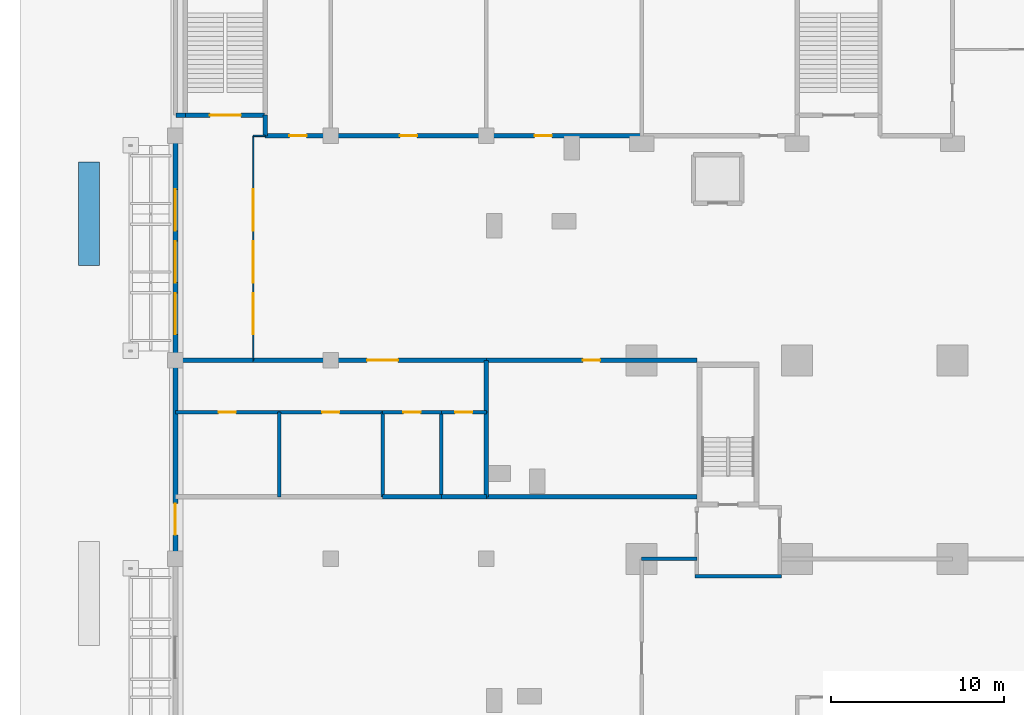
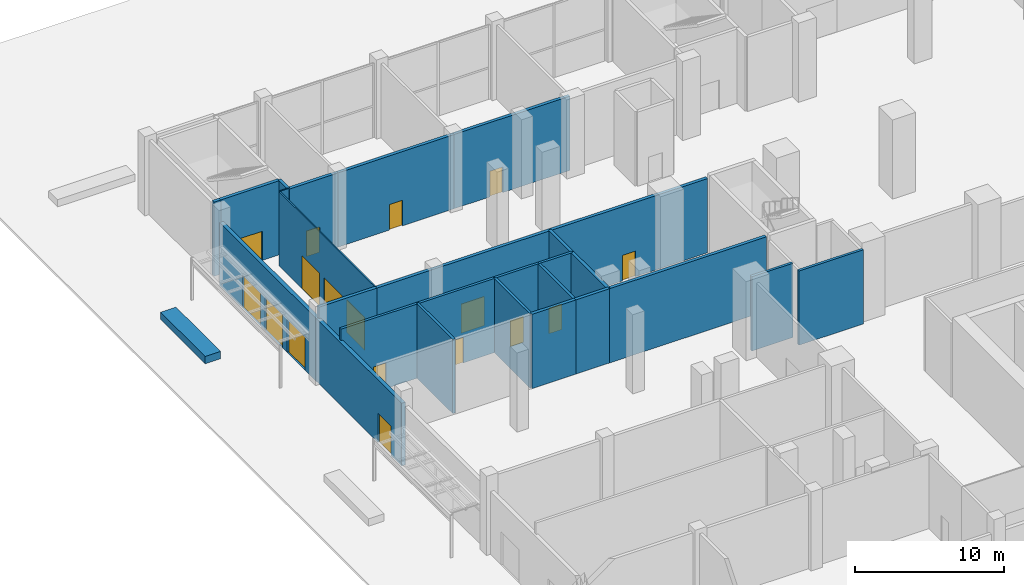
# One storey, part 31 of 39: 28 walls, 17 doors, 17 openings.
"""IFC4 building model written with IfcOpenShell, lengths in metres."""

from ifc_helpers import new_model, si_unit, direction, frame, frame_2d, origin, place, context, subcontext, project, spatial, rectangle, extrude, material, layer, layer_set, type_object, element, fill, save


model = new_model("IFC4")

# Units and contexts
model_context = context("Model", 3, precision=1e-05, world=origin(), true_north=direction((0.0, 1.0)))
body_context = subcontext(model_context, "Body", "Model", "MODEL_VIEW")
ifc_project = project(units=[si_unit("LENGTHUNIT", "METRE"), si_unit("AREAUNIT", "SQUARE_METRE"), si_unit("VOLUMEUNIT", "CUBIC_METRE"), si_unit("PLANEANGLEUNIT", "RADIAN"), si_unit("MASSUNIT", "GRAM", prefix="KILO")], contexts=[model_context])

# Site, building, storey
site_placement = place(None, origin())
site = spatial("IfcSite", under=ifc_project, at=site_placement, CompositionType="ELEMENT")
building_placement = place(site_placement, origin())
building = spatial("IfcBuilding", under=site, at=building_placement, Name="Brigalow Station Residences", CompositionType="ELEMENT")
storey_placement = place(building_placement, origin())
storey = spatial("IfcBuildingStorey", under=building, at=storey_placement, Name="L00", CompositionType="ELEMENT", Elevation=0.0)

# Wall, openings, doors
ifc_material_1 = material(Name="Glass and aluminium shopfront on a masonry base", Category="masonry")
ifc_layer_1 = layer(ifc_material_1, 0.300048828125)
ifc_layer_set_1 = layer_set([ifc_layer_1], Name="ENTRANCE INFILL 300")
wall_type_1 = type_object("IfcWallType", Name="ENTRANCE INFILL 300", PredefinedType="SOLIDWALL", material=ifc_layer_set_1)
wall_1_placement = place(storey_placement, frame((-18.0, 35.5, 0.0), z_axis=(0.0, 0.0, 1.0), x_axis=(0.0, 1.0, 0.0)))
wall_1 = element("IfcWall", 1, at=wall_1_placement, inside=storey, type_object=wall_type_1, Name="Entrance Infill 300 West Entrance Vestibule / OUT", PredefinedType="SOLIDWALL", context=body_context, shape_type="SweptSolid", body=[
    extrude(rectangle(XDim=13.0, YDim=0.300048828125, at=frame_2d((6.5, 0.0))), origin(), (0.0, 0.0, 1.0), 5.14794921875),
])
opening_1_placement = place(wall_1_placement, frame((1.5, 0.0, 0.0)))
opening_1 = element("IfcOpeningElement", 2, at=opening_1_placement, cuts=wall_1, Name="Opening D-7114", PredefinedType="OPENING", context=body_context, shape_type="SweptSolid", body=[
    extrude(rectangle(XDim=2.39990234375, YDim=2.699951171875, at=frame_2d((1.199951171875, 1.35009765625))), frame((0.0, 0.16015625, 0.0), z_axis=(0.0, -1.0, 0.0), x_axis=(1.0, 0.0, 0.0)), (0.0, 0.0, 1.0), 0.320068359375),
])
opening_2_placement = place(wall_1_placement, frame((4.5, 0.0, 0.0)))
opening_2 = element("IfcOpeningElement", 3, at=opening_2_placement, cuts=wall_1, Name="Opening D-7115", PredefinedType="OPENING", context=body_context, shape_type="SweptSolid", body=[
    extrude(rectangle(XDim=2.39990234375, YDim=2.699951171875, at=frame_2d((1.199951171875, 1.35009765625))), frame((0.0, 0.16015625, 0.0), z_axis=(0.0, -1.0, 0.0), x_axis=(1.0, 0.0, 0.0)), (0.0, 0.0, 1.0), 0.320068359375),
])
opening_3_placement = place(wall_1_placement, frame((7.5, 0.0, 0.0)))
opening_3 = element("IfcOpeningElement", 4, at=opening_3_placement, cuts=wall_1, Name="Opening D-7116", PredefinedType="OPENING", context=body_context, shape_type="SweptSolid", body=[
    extrude(rectangle(XDim=2.39990234375, YDim=2.699951171875, at=frame_2d((1.199951171875, 1.35009765625))), frame((0.0, 0.16015625, 0.0), z_axis=(0.0, -1.0, 0.0), x_axis=(1.0, 0.0, 0.0)), (0.0, 0.0, 1.0), 0.320068359375),
])
ifc_material_2 = material(Name="Fire-rated glass leaves in steel frame", Category="steel")
door_type_1 = type_object("IfcDoorType", Name="DOOR DOUBLE 2400 GLAZED FIRE", OperationType="DOUBLE_DOOR_SINGLE_SWING", PredefinedType="DOOR", material=ifc_material_2)
door_1_placement = place(opening_1_placement, origin())
door_1 = element("IfcDoor", 5, at=door_1_placement, inside=storey, type_object=door_type_1, Name="West entrance outer door 1", OperationType="DOUBLE_DOOR_SINGLE_SWING", OverallHeight=2.699951171875, OverallWidth=2.39990234375, PredefinedType="DOOR", context=body_context, shape_type="SweptSolid", body=[
    extrude(rectangle(XDim=2.39990234375, YDim=2.699951171875, at=frame_2d((1.199951171875, 1.35009765625))), frame((0.0, 0.02490234375, 0.0), z_axis=(0.0, -1.0, 0.0), x_axis=(1.0, 0.0, 0.0)), (0.0, 0.0, 1.0), 0.050048828125),
])
fill(opening_1, door_1)
door_2_placement = place(opening_2_placement, origin())
door_2 = element("IfcDoor", 6, at=door_2_placement, inside=storey, type_object=door_type_1, Name="West entrance outer door 2", OperationType="DOUBLE_DOOR_SINGLE_SWING", OverallHeight=2.699951171875, OverallWidth=2.39990234375, PredefinedType="DOOR", context=body_context, shape_type="SweptSolid", body=[
    extrude(rectangle(XDim=2.39990234375, YDim=2.699951171875, at=frame_2d((1.199951171875, 1.35009765625))), frame((0.0, 0.02490234375, 0.0), z_axis=(0.0, -1.0, 0.0), x_axis=(1.0, 0.0, 0.0)), (0.0, 0.0, 1.0), 0.050048828125),
])
fill(opening_2, door_2)
door_3_placement = place(opening_3_placement, origin())
door_3 = element("IfcDoor", 7, at=door_3_placement, inside=storey, type_object=door_type_1, Name="West entrance outer door 3", OperationType="DOUBLE_DOOR_SINGLE_SWING", OverallHeight=2.699951171875, OverallWidth=2.39990234375, PredefinedType="DOOR", context=body_context, shape_type="SweptSolid", body=[
    extrude(rectangle(XDim=2.39990234375, YDim=2.699951171875, at=frame_2d((1.199951171875, 1.35009765625))), frame((0.0, 0.02490234375, 0.0), z_axis=(0.0, -1.0, 0.0), x_axis=(1.0, 0.0, 0.0)), (0.0, 0.0, 1.0), 0.050048828125),
])
fill(opening_3, door_3)

# Wall, opening, door
wall_2_placement = place(storey_placement, frame((-18.0, 24.0, 0.0), z_axis=(0.0, 0.0, 1.0), x_axis=(0.0, 1.0, 0.0)))
wall_2 = element("IfcWall", 8, at=wall_2_placement, inside=storey, type_object=wall_type_1, Name="Entrance Infill 300 Stair S1 Exit Passage / OUT", PredefinedType="SOLIDWALL", context=body_context, shape_type="SweptSolid", body=[
    extrude(rectangle(XDim=11.5, YDim=0.300048828125, at=frame_2d((5.75, 0.0))), origin(), (0.0, 0.0, 1.0), 5.14794921875),
])
opening_4_placement = place(wall_2_placement, frame((1.39990234375, 0.0, 0.0)))
opening_4 = element("IfcOpeningElement", 9, at=opening_4_placement, cuts=wall_2, Name="Opening D-7111", PredefinedType="OPENING", context=body_context, shape_type="SweptSolid", body=[
    extrude(rectangle(XDim=1.800048828125, YDim=2.39990234375, at=frame_2d((0.89990234375, 1.199951171875))), frame((0.0, 0.16015625, 0.0), z_axis=(0.0, -1.0, 0.0), x_axis=(1.0, 0.0, 0.0)), (0.0, 0.0, 1.0), 0.320068359375),
])
ifc_material_3 = material(Name="Steel fire door leaves in steel frame", Category="steel")
door_type_2 = type_object("IfcDoorType", Name="DOOR DOUBLE 1800 FIRE", OperationType="DOUBLE_DOOR_SINGLE_SWING", PredefinedType="DOOR", material=ifc_material_3)
door_4_placement = place(opening_4_placement, origin())
door_4 = element("IfcDoor", 10, at=door_4_placement, inside=storey, type_object=door_type_2, Name="Stair S1 street door", OperationType="DOUBLE_DOOR_SINGLE_SWING", OverallHeight=2.39990234375, OverallWidth=1.800048828125, PredefinedType="DOOR", context=body_context, shape_type="SweptSolid", body=[
    extrude(rectangle(XDim=1.800048828125, YDim=2.39990234375, at=frame_2d((0.89990234375, 1.199951171875))), frame((0.0, 0.02490234375, 0.0), z_axis=(0.0, -1.0, 0.0), x_axis=(1.0, 0.0, 0.0)), (0.0, 0.0, 1.0), 0.050048828125),
])
fill(opening_4, door_4)

# Walls
ifc_material_4 = material(Name="Fire-rated plasterboard on steel studs", Category="steel")
ifc_layer_2 = layer(ifc_material_4, 0.25)
ifc_layer_set_2 = layer_set([ifc_layer_2], Name="FIRE PARTITION 250")
wall_type_2 = type_object("IfcWallType", Name="FIRE PARTITION 250", PredefinedType="PARTITIONING", material=ifc_layer_set_2)
wall_3_placement = place(storey_placement, frame((0.0, 27.60009765625, 0.0), z_axis=(0.0, 0.0, 1.0), x_axis=(1.0, 0.0, 0.0)))
element("IfcWall", 11, at=wall_3_placement, inside=storey, type_object=wall_type_2, Name="Fire Partition 250 Stair S1 Exit Passage / Customer Service Office", PredefinedType="PARTITIONING", context=body_context, shape_type="SweptSolid", body=[
    extrude(rectangle(XDim=12.199951171875, YDim=0.25, at=frame_2d((6.10009765625, 0.0))), origin(), (0.0, 0.0, 1.0), 6.097900390625),
])
wall_4_placement = place(storey_placement, frame((-6.0, 27.60009765625, 0.0), z_axis=(0.0, 0.0, 1.0), x_axis=(1.0, 0.0, 0.0)))
element("IfcWall", 12, at=wall_4_placement, inside=storey, type_object=wall_type_2, Name="Fire Partition 250 Stair S1 Exit Passage / Accessible Wc", PredefinedType="PARTITIONING", context=body_context, shape_type="SweptSolid", body=[
    extrude(rectangle(XDim=3.39990234375, YDim=0.25, at=frame_2d((1.699951171875, 0.0))), origin(), (0.0, 0.0, 1.0), 6.097900390625),
])
wall_5_placement = place(storey_placement, frame((-2.60009765625, 27.60009765625, 0.0), z_axis=(0.0, 0.0, 1.0), x_axis=(1.0, 0.0, 0.0)))
element("IfcWall", 13, at=wall_5_placement, inside=storey, type_object=wall_type_2, Name="Fire Partition 250 Stair S1 Exit Passage / Staff Wc", PredefinedType="PARTITIONING", context=body_context, shape_type="SweptSolid", body=[
    extrude(rectangle(XDim=2.60009765625, YDim=0.25, at=frame_2d((1.300048828125, 0.0))), origin(), (0.0, 0.0, 1.0), 6.097900390625),
])

# Wall, opening, door
wall_6_placement = place(storey_placement, frame((0.0, 35.5, 0.0), z_axis=(0.0, 0.0, 1.0), x_axis=(1.0, 0.0, 0.0)))
wall_6 = element("IfcWall", 14, at=wall_6_placement, inside=storey, type_object=wall_type_2, Name="Fire Partition 250 Customer Service Office / Concourse", PredefinedType="PARTITIONING", context=body_context, shape_type="SweptSolid", body=[
    extrude(rectangle(XDim=12.199951171875, YDim=0.25, at=frame_2d((6.10009765625, 0.0))), origin(), (0.0, 0.0, 1.0), 6.097900390625),
])
opening_5_placement = place(wall_6_placement, frame((5.60009765625, 0.0, 0.0)))
opening_5 = element("IfcOpeningElement", 15, at=opening_5_placement, cuts=wall_6, Name="Opening D-7139", PredefinedType="OPENING", context=body_context, shape_type="SweptSolid", body=[
    extrude(rectangle(XDim=1.0, YDim=2.10009765625, at=frame_2d((0.5, 1.050048828125))), frame((0.0, 0.135009765625, 0.0), z_axis=(0.0, -1.0, 0.0), x_axis=(1.0, 0.0, 0.0)), (0.0, 0.0, 1.0), 0.27001953125),
])
ifc_material_5 = material(Name="Steel fire door leaf in steel frame", Category="steel")
door_type_3 = type_object("IfcDoorType", Name="DOOR SINGLE 1000 FIRE", OperationType="SINGLE_SWING_LEFT", PredefinedType="DOOR", material=ifc_material_5)
door_5_placement = place(opening_5_placement, frame((1.0, 0.0, 0.0), z_axis=(0.0, 0.0, 1.0), x_axis=(-1.0, 0.0, 0.0)))
door_5 = element("IfcDoor", 16, at=door_5_placement, inside=storey, type_object=door_type_3, Name="Customer service office door", OperationType="SINGLE_SWING_LEFT", OverallHeight=2.10009765625, OverallWidth=1.0, PredefinedType="DOOR", context=body_context, shape_type="SweptSolid", body=[
    extrude(rectangle(XDim=1.0, YDim=2.10009765625, at=frame_2d((0.5, 1.050048828125))), frame((0.0, 0.02490234375, 0.0), z_axis=(0.0, -1.0, 0.0), x_axis=(1.0, 0.0, 0.0)), (0.0, 0.0, 1.0), 0.050048828125),
])
fill(opening_5, door_5)

# Walls
wall_7_placement = place(storey_placement, frame((0.0, 32.5, 0.0), z_axis=(0.0, 0.0, 1.0), x_axis=(0.0, 1.0, 0.0)))
element("IfcWall", 17, at=wall_7_placement, inside=storey, type_object=wall_type_2, Name="Fire Partition 250 Customer Service Office / Public Wc Lobby", PredefinedType="PARTITIONING", context=body_context, shape_type="SweptSolid", body=[
    extrude(rectangle(XDim=3.0, YDim=0.25, at=frame_2d((1.5, 0.0))), origin(), (0.0, 0.0, 1.0), 6.097900390625),
])
wall_8_placement = place(storey_placement, frame((0.0, 27.60009765625, 0.0), z_axis=(0.0, 0.0, 1.0), x_axis=(0.0, 1.0, 0.0)))
element("IfcWall", 18, at=wall_8_placement, inside=storey, type_object=wall_type_2, Name="Fire Partition 250 Customer Service Office / Staff Wc", PredefinedType="PARTITIONING", context=body_context, shape_type="SweptSolid", body=[
    extrude(rectangle(XDim=4.89990234375, YDim=0.25, at=frame_2d((2.449951171875, 0.0))), origin(), (0.0, 0.0, 1.0), 6.097900390625),
])

# Wall, opening, door
wall_9_placement = place(storey_placement, frame((-13.5, 35.5, 0.0), z_axis=(0.0, 0.0, 1.0), x_axis=(1.0, 0.0, 0.0)))
wall_9 = element("IfcWall", 19, at=wall_9_placement, inside=storey, type_object=wall_type_2, Name="Fire Partition 250 Concourse / Public Wc Lobby", PredefinedType="PARTITIONING", context=body_context, shape_type="SweptSolid", body=[
    extrude(rectangle(XDim=13.5, YDim=0.25, at=frame_2d((6.75, 0.0))), origin(), (0.0, 0.0, 1.0), 6.097900390625),
])
opening_6_placement = place(wall_9_placement, frame((6.60009765625, 0.0, 0.0)))
opening_6 = element("IfcOpeningElement", 20, at=opening_6_placement, cuts=wall_9, Name="Opening D-7157", PredefinedType="OPENING", context=body_context, shape_type="SweptSolid", body=[
    extrude(rectangle(XDim=1.800048828125, YDim=2.39990234375, at=frame_2d((0.89990234375, 1.199951171875))), frame((0.0, 0.135009765625, 0.0), z_axis=(0.0, -1.0, 0.0), x_axis=(1.0, 0.0, 0.0)), (0.0, 0.0, 1.0), 0.27001953125),
])
door_6_placement = place(opening_6_placement, frame((1.800048828125, 0.0, 0.0), z_axis=(0.0, 0.0, 1.0), x_axis=(-1.0, 0.0, 0.0)))
door_6 = element("IfcDoor", 21, at=door_6_placement, inside=storey, type_object=door_type_2, Name="Public WC lobby door", OperationType="DOUBLE_DOOR_SINGLE_SWING", OverallHeight=2.39990234375, OverallWidth=1.800048828125, PredefinedType="DOOR", context=body_context, shape_type="SweptSolid", body=[
    extrude(rectangle(XDim=1.800048828125, YDim=2.39990234375, at=frame_2d((0.89990234375, 1.199951171875))), frame((0.0, 0.02490234375, 0.0), z_axis=(0.0, -1.0, 0.0), x_axis=(1.0, 0.0, 0.0)), (0.0, 0.0, 1.0), 0.050048828125),
])
fill(opening_6, door_6)

wall_10_placement = place(storey_placement, frame((-12.800048828125, 48.5, 0.0), z_axis=(0.0, 0.0, 1.0), x_axis=(1.0, 0.0, 0.0)))
wall_10 = element("IfcWall", 22, at=wall_10_placement, inside=storey, type_object=wall_type_2, Name="Fire Partition 250 Concourse / Newsagent Kiosk", PredefinedType="PARTITIONING", context=body_context, shape_type="SweptSolid", body=[
    extrude(rectangle(XDim=3.800048828125, YDim=0.25, at=frame_2d((1.89990234375, 0.0))), origin(), (0.0, 0.0, 1.0), 6.097900390625),
])
opening_7_placement = place(wall_10_placement, frame((1.39990234375, 0.0, 0.0)))
opening_7 = element("IfcOpeningElement", 23, at=opening_7_placement, cuts=wall_10, Name="Opening D-7141", PredefinedType="OPENING", context=body_context, shape_type="SweptSolid", body=[
    extrude(rectangle(XDim=1.0, YDim=2.10009765625, at=frame_2d((0.5, 1.050048828125))), frame((0.0, 0.135009765625, 0.0), z_axis=(0.0, -1.0, 0.0), x_axis=(1.0, 0.0, 0.0)), (0.0, 0.0, 1.0), 0.27001953125),
])
door_7_placement = place(opening_7_placement, origin())
door_7 = element("IfcDoor", 24, at=door_7_placement, inside=storey, type_object=door_type_3, Name="Newsagent Kiosk door", OperationType="SINGLE_SWING_LEFT", OverallHeight=2.10009765625, OverallWidth=1.0, PredefinedType="DOOR", context=body_context, shape_type="SweptSolid", body=[
    extrude(rectangle(XDim=1.0, YDim=2.10009765625, at=frame_2d((0.5, 1.050048828125))), frame((0.0, 0.02490234375, 0.0), z_axis=(0.0, -1.0, 0.0), x_axis=(1.0, 0.0, 0.0)), (0.0, 0.0, 1.0), 0.050048828125),
])
fill(opening_7, door_7)

wall_11_placement = place(storey_placement, frame((-9.0, 48.5, 0.0), z_axis=(0.0, 0.0, 1.0), x_axis=(1.0, 0.0, 0.0)))
wall_11 = element("IfcWall", 25, at=wall_11_placement, inside=storey, type_object=wall_type_2, Name="Fire Partition 250 Concourse / Florist Shop", PredefinedType="PARTITIONING", context=body_context, shape_type="SweptSolid", body=[
    extrude(rectangle(XDim=9.0, YDim=0.25, at=frame_2d((4.5, 0.0))), origin(), (0.0, 0.0, 1.0), 6.097900390625),
])
opening_8_placement = place(wall_11_placement, frame((4.0, 0.0, 0.0)))
opening_8 = element("IfcOpeningElement", 26, at=opening_8_placement, cuts=wall_11, Name="Opening D-7142", PredefinedType="OPENING", context=body_context, shape_type="SweptSolid", body=[
    extrude(rectangle(XDim=1.0, YDim=2.10009765625, at=frame_2d((0.5, 1.050048828125))), frame((0.0, 0.135009765625, 0.0), z_axis=(0.0, -1.0, 0.0), x_axis=(1.0, 0.0, 0.0)), (0.0, 0.0, 1.0), 0.27001953125),
])
door_8_placement = place(opening_8_placement, origin())
door_8 = element("IfcDoor", 27, at=door_8_placement, inside=storey, type_object=door_type_3, Name="Florist Shop door", OperationType="SINGLE_SWING_LEFT", OverallHeight=2.10009765625, OverallWidth=1.0, PredefinedType="DOOR", context=body_context, shape_type="SweptSolid", body=[
    extrude(rectangle(XDim=1.0, YDim=2.10009765625, at=frame_2d((0.5, 1.050048828125))), frame((0.0, 0.02490234375, 0.0), z_axis=(0.0, -1.0, 0.0), x_axis=(1.0, 0.0, 0.0)), (0.0, 0.0, 1.0), 0.050048828125),
])
fill(opening_8, door_8)

wall_12_placement = place(storey_placement, frame((0.0, 48.5, 0.0), z_axis=(0.0, 0.0, 1.0), x_axis=(1.0, 0.0, 0.0)))
wall_12 = element("IfcWall", 28, at=wall_12_placement, inside=storey, type_object=wall_type_2, Name="Fire Partition 250 Concourse / Bakery Kiosk", PredefinedType="PARTITIONING", context=body_context, shape_type="SweptSolid", body=[
    extrude(rectangle(XDim=9.0, YDim=0.25, at=frame_2d((4.5, 0.0))), origin(), (0.0, 0.0, 1.0), 6.097900390625),
])
opening_9_placement = place(wall_12_placement, frame((2.800048828125, 0.0, 0.0)))
opening_9 = element("IfcOpeningElement", 29, at=opening_9_placement, cuts=wall_12, Name="Opening D-7143", PredefinedType="OPENING", context=body_context, shape_type="SweptSolid", body=[
    extrude(rectangle(XDim=1.0, YDim=2.10009765625, at=frame_2d((0.5, 1.050048828125))), frame((0.0, 0.135009765625, 0.0), z_axis=(0.0, -1.0, 0.0), x_axis=(1.0, 0.0, 0.0)), (0.0, 0.0, 1.0), 0.27001953125),
])
door_9_placement = place(opening_9_placement, origin())
door_9 = element("IfcDoor", 30, at=door_9_placement, inside=storey, type_object=door_type_3, Name="Bakery Kiosk door", OperationType="SINGLE_SWING_LEFT", OverallHeight=2.10009765625, OverallWidth=1.0, PredefinedType="DOOR", context=body_context, shape_type="SweptSolid", body=[
    extrude(rectangle(XDim=1.0, YDim=2.10009765625, at=frame_2d((0.5, 1.050048828125))), frame((0.0, 0.02490234375, 0.0), z_axis=(0.0, -1.0, 0.0), x_axis=(1.0, 0.0, 0.0)), (0.0, 0.0, 1.0), 0.050048828125),
])
fill(opening_9, door_9)

# Walls
wall_13_placement = place(storey_placement, frame((-18.0, 35.5, 0.0), z_axis=(0.0, 0.0, 1.0), x_axis=(1.0, 0.0, 0.0)))
element("IfcWall", 31, at=wall_13_placement, inside=storey, type_object=wall_type_2, Name="Fire Partition 250 West Entrance Vestibule / Public Wc Lobby", PredefinedType="PARTITIONING", context=body_context, shape_type="SweptSolid", body=[
    extrude(rectangle(XDim=4.5, YDim=0.25, at=frame_2d((2.25, 0.0))), origin(), (0.0, 0.0, 1.0), 6.097900390625),
])
wall_14_placement = place(storey_placement, frame((-12.800048828125, 48.5, 0.0), z_axis=(0.0, 0.0, 1.0), x_axis=(0.0, 1.0, 0.0)))
element("IfcWall", 32, at=wall_14_placement, inside=storey, type_object=wall_type_2, Name="Fire Partition 250 West Entrance Vestibule / Newsagent Kiosk", PredefinedType="PARTITIONING", context=body_context, shape_type="SweptSolid", body=[
    extrude(rectangle(XDim=1.199951171875, YDim=0.25, at=frame_2d((0.60009765625, 0.0))), origin(), (0.0, 0.0, 1.0), 6.097900390625),
])
wall_15_placement = place(storey_placement, frame((-17.955078125, 49.699951171875, 0.0), z_axis=(0.0, 0.0, 1.0), x_axis=(1.0, 0.0, 0.0)))
element("IfcWall", 33, at=wall_15_placement, inside=storey, type_object=wall_type_2, Name="Fire Partition 250 West Entrance Vestibule / Exit Stair St-4 Services Riser", PredefinedType="PARTITIONING", context=body_context, shape_type="SweptSolid", body=[
    extrude(rectangle(XDim=0.530029296875, YDim=0.25, at=frame_2d((0.26513671875, 0.0))), origin(), (0.0, 0.0, 1.0), 6.097900390625),
])
ifc_material_6 = material(Name="Concrete blockwork", Category="masonry")
ifc_layer_3 = layer(ifc_material_6, 0.199951171875)
ifc_layer_set_3 = layer_set([ifc_layer_3], Name="FIRE RATED CORE PARTITION 200")
wall_type_3 = type_object("IfcWallType", Name="FIRE RATED CORE PARTITION 200", PredefinedType="PARTITIONING", material=ifc_layer_set_3)
wall_16_placement = place(storey_placement, frame((12.10009765625, 23.0, 0.0), z_axis=(0.0, 0.0, 1.0), x_axis=(1.0, 0.0, 0.0)))
element("IfcWall", 34, at=wall_16_placement, inside=storey, type_object=wall_type_3, Name="PW-5023", PredefinedType="PARTITIONING", context=body_context, shape_type="SweptSolid", body=[
    extrude(rectangle(XDim=5.0, YDim=0.199951171875, at=frame_2d((2.5, 0.0))), origin(), (0.0, 0.0, 1.0), 6.097900390625),
])
ifc_material_7 = material(Name="Toughened glass in stainless steel frame", Category="steel")
ifc_layer_4 = layer(ifc_material_7, 0.10009765625)
ifc_layer_set_4 = layer_set([ifc_layer_4], Name="GLAZED SCREEN 100")
wall_type_4 = type_object("IfcWallType", Name="GLAZED SCREEN 100", PredefinedType="PARTITIONING", material=ifc_layer_set_4)
wall_17_placement = place(storey_placement, frame((-13.5, 48.5, 0.0), z_axis=(0.0, 0.0, 1.0), x_axis=(1.0, 0.0, 0.0)))
element("IfcWall", 35, at=wall_17_placement, inside=storey, type_object=wall_type_4, Name="Glazed Screen 100 Concourse / West Entrance Vestibule", PredefinedType="PARTITIONING", context=body_context, shape_type="SweptSolid", body=[
    extrude(rectangle(XDim=0.699951171875, YDim=0.10009765625, at=frame_2d((0.35009765625, 0.0))), origin(), (0.0, 0.0, 1.0), 6.097900390625),
])

# Wall, openings, doors
wall_18_placement = place(storey_placement, frame((-13.5, 35.5, 0.0), z_axis=(0.0, 0.0, 1.0), x_axis=(0.0, 1.0, 0.0)))
wall_18 = element("IfcWall", 36, at=wall_18_placement, inside=storey, type_object=wall_type_4, Name="Glazed Screen 100 Concourse / West Entrance Vestibule", PredefinedType="PARTITIONING", context=body_context, shape_type="SweptSolid", body=[
    extrude(rectangle(XDim=13.0, YDim=0.10009765625, at=frame_2d((6.5, 0.0))), origin(), (0.0, 0.0, 1.0), 6.097900390625),
])
opening_10_placement = place(wall_18_placement, frame((1.5, 0.0, 0.0)))
opening_10 = element("IfcOpeningElement", 37, at=opening_10_placement, cuts=wall_18, Name="Opening D-7149", PredefinedType="OPENING", context=body_context, shape_type="SweptSolid", body=[
    extrude(rectangle(XDim=2.39990234375, YDim=2.699951171875, at=frame_2d((1.199951171875, 1.35009765625))), frame((0.0, 0.06005859375, 0.0), z_axis=(0.0, -1.0, 0.0), x_axis=(1.0, 0.0, 0.0)), (0.0, 0.0, 1.0), 0.1201171875),
])
opening_11_placement = place(wall_18_placement, frame((4.5, 0.0, 0.0)))
opening_11 = element("IfcOpeningElement", 38, at=opening_11_placement, cuts=wall_18, Name="Opening D-7150", PredefinedType="OPENING", context=body_context, shape_type="SweptSolid", body=[
    extrude(rectangle(XDim=2.39990234375, YDim=2.699951171875, at=frame_2d((1.199951171875, 1.35009765625))), frame((0.0, 0.06005859375, 0.0), z_axis=(0.0, -1.0, 0.0), x_axis=(1.0, 0.0, 0.0)), (0.0, 0.0, 1.0), 0.1201171875),
])
opening_12_placement = place(wall_18_placement, frame((7.5, 0.0, 0.0)))
opening_12 = element("IfcOpeningElement", 39, at=opening_12_placement, cuts=wall_18, Name="Opening D-7151", PredefinedType="OPENING", context=body_context, shape_type="SweptSolid", body=[
    extrude(rectangle(XDim=2.39990234375, YDim=2.699951171875, at=frame_2d((1.199951171875, 1.35009765625))), frame((0.0, 0.06005859375, 0.0), z_axis=(0.0, -1.0, 0.0), x_axis=(1.0, 0.0, 0.0)), (0.0, 0.0, 1.0), 0.1201171875),
])
door_10_placement = place(opening_10_placement, origin())
door_10 = element("IfcDoor", 40, at=door_10_placement, inside=storey, type_object=door_type_1, Name="West entrance inner door", OperationType="DOUBLE_DOOR_SINGLE_SWING", OverallHeight=2.699951171875, OverallWidth=2.39990234375, PredefinedType="DOOR", context=body_context, shape_type="SweptSolid", body=[
    extrude(rectangle(XDim=2.39990234375, YDim=2.699951171875, at=frame_2d((1.199951171875, 1.35009765625))), frame((0.0, 0.02490234375, 0.0), z_axis=(0.0, -1.0, 0.0), x_axis=(1.0, 0.0, 0.0)), (0.0, 0.0, 1.0), 0.050048828125),
])
fill(opening_10, door_10)
door_11_placement = place(opening_11_placement, origin())
door_11 = element("IfcDoor", 41, at=door_11_placement, inside=storey, type_object=door_type_1, Name="West entrance inner door", OperationType="DOUBLE_DOOR_SINGLE_SWING", OverallHeight=2.699951171875, OverallWidth=2.39990234375, PredefinedType="DOOR", context=body_context, shape_type="SweptSolid", body=[
    extrude(rectangle(XDim=2.39990234375, YDim=2.699951171875, at=frame_2d((1.199951171875, 1.35009765625))), frame((0.0, 0.02490234375, 0.0), z_axis=(0.0, -1.0, 0.0), x_axis=(1.0, 0.0, 0.0)), (0.0, 0.0, 1.0), 0.050048828125),
])
fill(opening_11, door_11)
door_12_placement = place(opening_12_placement, origin())
door_12 = element("IfcDoor", 42, at=door_12_placement, inside=storey, type_object=door_type_1, Name="West entrance inner door", OperationType="DOUBLE_DOOR_SINGLE_SWING", OverallHeight=2.699951171875, OverallWidth=2.39990234375, PredefinedType="DOOR", context=body_context, shape_type="SweptSolid", body=[
    extrude(rectangle(XDim=2.39990234375, YDim=2.699951171875, at=frame_2d((1.199951171875, 1.35009765625))), frame((0.0, 0.02490234375, 0.0), z_axis=(0.0, -1.0, 0.0), x_axis=(1.0, 0.0, 0.0)), (0.0, 0.0, 1.0), 0.050048828125),
])
fill(opening_12, door_12)

# Wall
ifc_material_8 = material(Name="Plasterboard on steel studs with acoustic insulation", Category="steel")
ifc_layer_5 = layer(ifc_material_8, 0.199951171875)
ifc_layer_set_5 = layer_set([ifc_layer_5], Name="PARTITION 200")
wall_type_5 = type_object("IfcWallType", Name="PARTITION 200", PredefinedType="PARTITIONING", material=ifc_layer_set_5)
wall_19_placement = place(storey_placement, frame((9.0, 24.0, 0.0), z_axis=(0.0, 0.0, 1.0), x_axis=(1.0, 0.0, 0.0)))
element("IfcWall", 43, at=wall_19_placement, inside=storey, type_object=wall_type_5, Name="Partition 200 Residents' Lobby / Stair S1 Exit Passage", PredefinedType="PARTITIONING", context=body_context, shape_type="SweptSolid", body=[
    extrude(rectangle(XDim=3.199951171875, YDim=0.199951171875, at=frame_2d((1.60009765625, 0.0))), origin(), (0.0, 0.0, 1.0), 6.097900390625),
])

# Wall, opening, door
wall_20_placement = place(storey_placement, frame((-18.0, 32.5, 0.0), z_axis=(0.0, 0.0, 1.0), x_axis=(1.0, 0.0, 0.0)))
wall_20 = element("IfcWall", 44, at=wall_20_placement, inside=storey, type_object=wall_type_5, Name="Partition 200 Public Wc Lobby / Women'S Wc", PredefinedType="PARTITIONING", context=body_context, shape_type="SweptSolid", body=[
    extrude(rectangle(XDim=6.0, YDim=0.199951171875, at=frame_2d((3.0, 0.0))), origin(), (0.0, 0.0, 1.0), 6.097900390625),
])
opening_13_placement = place(wall_20_placement, frame((2.5, 0.0, 0.0)))
opening_13 = element("IfcOpeningElement", 45, at=opening_13_placement, cuts=wall_20, Name="Opening D-7158", PredefinedType="OPENING", context=body_context, shape_type="SweptSolid", body=[
    extrude(rectangle(XDim=1.0, YDim=2.10009765625, at=frame_2d((0.5, 1.050048828125))), frame((0.0, 0.10986328125, 0.0), z_axis=(0.0, -1.0, 0.0), x_axis=(1.0, 0.0, 0.0)), (0.0, 0.0, 1.0), 0.219970703125),
])
door_13_placement = place(opening_13_placement, frame((1.0, 0.0, 0.0), z_axis=(0.0, 0.0, 1.0), x_axis=(-1.0, 0.0, 0.0)))
door_13 = element("IfcDoor", 46, at=door_13_placement, inside=storey, type_object=door_type_3, Name="Women's WC door", OperationType="SINGLE_SWING_RIGHT", OverallHeight=2.10009765625, OverallWidth=1.0, PredefinedType="DOOR", context=body_context, shape_type="SweptSolid", body=[
    extrude(rectangle(XDim=1.0, YDim=2.10009765625, at=frame_2d((0.5, 1.050048828125))), frame((0.0, 0.02490234375, 0.0), z_axis=(0.0, -1.0, 0.0), x_axis=(1.0, 0.0, 0.0)), (0.0, 0.0, 1.0), 0.050048828125),
])
fill(opening_13, door_13)

wall_21_placement = place(storey_placement, frame((-12.0, 32.5, 0.0), z_axis=(0.0, 0.0, 1.0), x_axis=(1.0, 0.0, 0.0)))
wall_21 = element("IfcWall", 47, at=wall_21_placement, inside=storey, type_object=wall_type_5, Name="Partition 200 Public Wc Lobby / Men'S Wc", PredefinedType="PARTITIONING", context=body_context, shape_type="SweptSolid", body=[
    extrude(rectangle(XDim=6.0, YDim=0.199951171875, at=frame_2d((3.0, 0.0))), origin(), (0.0, 0.0, 1.0), 6.097900390625),
])
opening_14_placement = place(wall_21_placement, frame((2.5, 0.0, 0.0)))
opening_14 = element("IfcOpeningElement", 48, at=opening_14_placement, cuts=wall_21, Name="Opening D-7159", PredefinedType="OPENING", context=body_context, shape_type="SweptSolid", body=[
    extrude(rectangle(XDim=1.0, YDim=2.10009765625, at=frame_2d((0.5, 1.050048828125))), frame((0.0, 0.10986328125, 0.0), z_axis=(0.0, -1.0, 0.0), x_axis=(1.0, 0.0, 0.0)), (0.0, 0.0, 1.0), 0.219970703125),
])
door_14_placement = place(opening_14_placement, frame((1.0, 0.0, 0.0), z_axis=(0.0, 0.0, 1.0), x_axis=(-1.0, 0.0, 0.0)))
door_14 = element("IfcDoor", 49, at=door_14_placement, inside=storey, type_object=door_type_3, Name="Men's WC door", OperationType="SINGLE_SWING_LEFT", OverallHeight=2.10009765625, OverallWidth=1.0, PredefinedType="DOOR", context=body_context, shape_type="SweptSolid", body=[
    extrude(rectangle(XDim=1.0, YDim=2.10009765625, at=frame_2d((0.5, 1.050048828125))), frame((0.0, 0.02490234375, 0.0), z_axis=(0.0, -1.0, 0.0), x_axis=(1.0, 0.0, 0.0)), (0.0, 0.0, 1.0), 0.050048828125),
])
fill(opening_14, door_14)

wall_22_placement = place(storey_placement, frame((-6.0, 32.5, 0.0), z_axis=(0.0, 0.0, 1.0), x_axis=(1.0, 0.0, 0.0)))
wall_22 = element("IfcWall", 50, at=wall_22_placement, inside=storey, type_object=wall_type_5, Name="Partition 200 Public Wc Lobby / Accessible Wc", PredefinedType="PARTITIONING", context=body_context, shape_type="SweptSolid", body=[
    extrude(rectangle(XDim=3.39990234375, YDim=0.199951171875, at=frame_2d((1.699951171875, 0.0))), origin(), (0.0, 0.0, 1.0), 6.097900390625),
])
opening_15_placement = place(wall_22_placement, frame((1.199951171875, 0.0, 0.0)))
opening_15 = element("IfcOpeningElement", 51, at=opening_15_placement, cuts=wall_22, Name="Opening D-7160", PredefinedType="OPENING", context=body_context, shape_type="SweptSolid", body=[
    extrude(rectangle(XDim=1.0, YDim=2.10009765625, at=frame_2d((0.5, 1.050048828125))), frame((0.0, 0.10986328125, 0.0), z_axis=(0.0, -1.0, 0.0), x_axis=(1.0, 0.0, 0.0)), (0.0, 0.0, 1.0), 0.219970703125),
])
ifc_material_9 = material(Name="Timber door leaf in steel frame", Category="steel")
door_type_4 = type_object("IfcDoorType", Name="DOOR ACCESSIBLE 1000", OperationType="SINGLE_SWING_RIGHT", PredefinedType="DOOR", material=ifc_material_9)
door_15_placement = place(opening_15_placement, frame((1.0, 0.0, 0.0), z_axis=(0.0, 0.0, 1.0), x_axis=(-1.0, 0.0, 0.0)))
door_15 = element("IfcDoor", 52, at=door_15_placement, inside=storey, type_object=door_type_4, Name="Accessible WC door", OperationType="SINGLE_SWING_RIGHT", OverallHeight=2.10009765625, OverallWidth=1.0, PredefinedType="DOOR", context=body_context, shape_type="SweptSolid", body=[
    extrude(rectangle(XDim=1.0, YDim=2.10009765625, at=frame_2d((0.5, 1.050048828125))), frame((0.0, 0.02490234375, 0.0), z_axis=(0.0, -1.0, 0.0), x_axis=(1.0, 0.0, 0.0)), (0.0, 0.0, 1.0), 0.050048828125),
])
fill(opening_15, door_15)

wall_23_placement = place(storey_placement, frame((-2.60009765625, 32.5, 0.0), z_axis=(0.0, 0.0, 1.0), x_axis=(1.0, 0.0, 0.0)))
wall_23 = element("IfcWall", 53, at=wall_23_placement, inside=storey, type_object=wall_type_5, Name="Partition 200 Public Wc Lobby / Staff Wc", PredefinedType="PARTITIONING", context=body_context, shape_type="SweptSolid", body=[
    extrude(rectangle(XDim=2.60009765625, YDim=0.199951171875, at=frame_2d((1.300048828125, 0.0))), origin(), (0.0, 0.0, 1.0), 6.097900390625),
])
opening_16_placement = place(wall_23_placement, frame((0.800048828125, 0.0, 0.0)))
opening_16 = element("IfcOpeningElement", 54, at=opening_16_placement, cuts=wall_23, Name="Opening D-7161", PredefinedType="OPENING", context=body_context, shape_type="SweptSolid", body=[
    extrude(rectangle(XDim=1.0, YDim=2.10009765625, at=frame_2d((0.5, 1.050048828125))), frame((0.0, 0.10986328125, 0.0), z_axis=(0.0, -1.0, 0.0), x_axis=(1.0, 0.0, 0.0)), (0.0, 0.0, 1.0), 0.219970703125),
])
door_16_placement = place(opening_16_placement, frame((1.0, 0.0, 0.0), z_axis=(0.0, 0.0, 1.0), x_axis=(-1.0, 0.0, 0.0)))
door_16 = element("IfcDoor", 55, at=door_16_placement, inside=storey, type_object=door_type_3, Name="Staff WC door", OperationType="SINGLE_SWING_LEFT", OverallHeight=2.10009765625, OverallWidth=1.0, PredefinedType="DOOR", context=body_context, shape_type="SweptSolid", body=[
    extrude(rectangle(XDim=1.0, YDim=2.10009765625, at=frame_2d((0.5, 1.050048828125))), frame((0.0, 0.02490234375, 0.0), z_axis=(0.0, -1.0, 0.0), x_axis=(1.0, 0.0, 0.0)), (0.0, 0.0, 1.0), 0.050048828125),
])
fill(opening_16, door_16)

# Walls
for number, where, z_axis, x_axis, name in (
    (56, (-12.0, 27.60009765625, 0.0), (0.0, 0.0, 1.0), (0.0, 1.0, 0.0), "Partition 200 Women'S Wc / Men'S Wc"),
    (57, (-6.0, 27.60009765625, 0.0), (0.0, 0.0, 1.0), (0.0, 1.0, 0.0), "Partition 200 Men'S Wc / Accessible Wc"),
    (58, (-2.60009765625, 27.60009765625, 0.0), (0.0, 0.0, 1.0), (0.0, 1.0, 0.0), "Partition 200 Accessible Wc / Staff Wc"),
):
    element("IfcWall", number, at=place(storey_placement, frame(where, z_axis=z_axis, x_axis=x_axis)), inside=storey, type_object=wall_type_5, Name=name, PredefinedType="PARTITIONING", context=body_context, shape_type="SweptSolid", body=[
        extrude(rectangle(XDim=4.89990234375, YDim=0.199951171875, at=frame_2d((2.449951171875, 0.0))), origin(), (0.0, 0.0, 1.0), 6.097900390625),
    ])
ifc_material_10 = material(Name="Concrete C50", Category="concrete")
ifc_layer_6 = layer(ifc_material_10, 1.199951171875)
ifc_layer_set_6 = layer_set([ifc_layer_6], Name="PLANTER 1200")
wall_type_6 = type_object("IfcWallType", Name="PLANTER 1200", PredefinedType="USERDEFINED", material=ifc_layer_set_6)
wall_24_placement = place(storey_placement, frame((-23.0, 41.0, 0.0), z_axis=(0.0, 0.0, 1.0), x_axis=(0.0, 1.0, 0.0)))
element("IfcWall", 59, at=wall_24_placement, inside=storey, type_object=wall_type_6, Name="Planter WEST-3", ObjectType="PLANTER", PredefinedType="USERDEFINED", context=body_context, shape_type="SweptSolid", body=[
    extrude(rectangle(XDim=6.0, YDim=1.199951171875, at=frame_2d((3.0, 0.0))), origin(), (0.0, 0.0, 1.0), 0.60009765625),
])

# Wall, opening, door
ifc_material_11 = material(Name="Concrete C50", Category="concrete")
ifc_layer_7 = layer(ifc_material_11, 0.25)
ifc_layer_set_7 = layer_set([ifc_layer_7], Name="STAIR ENCLOSURE 250")
wall_type_7 = type_object("IfcWallType", Name="STAIR ENCLOSURE 250", PredefinedType="SOLIDWALL", material=ifc_layer_set_7)
wall_25_placement = place(storey_placement, frame((-17.425048828125, 49.699951171875, 0.0), z_axis=(0.0, 0.0, 1.0), x_axis=(1.0, 0.0, 0.0)))
wall_25 = element("IfcWall", 60, at=wall_25_placement, inside=storey, type_object=wall_type_7, Name="Stair Enclosure 250 West Entrance Vestibule / Exit Stair St-4", PredefinedType="SOLIDWALL", context=body_context, shape_type="SweptSolid", body=[
    extrude(rectangle(XDim=4.580078125, YDim=0.25, at=frame_2d((2.2900390625, 0.0))), origin(), (0.0, 0.0, 1.0), 6.097900390625),
])
opening_17_placement = place(wall_25_placement, frame((1.4130859375, 0.0, 0.0)))
opening_17 = element("IfcOpeningElement", 61, at=opening_17_placement, cuts=wall_25, Name="Opening D-7162", PredefinedType="OPENING", context=body_context, shape_type="SweptSolid", body=[
    extrude(rectangle(XDim=1.800048828125, YDim=2.39990234375, at=frame_2d((0.89990234375, 1.199951171875))), frame((0.0, 0.135009765625, 0.0), z_axis=(0.0, -1.0, 0.0), x_axis=(1.0, 0.0, 0.0)), (0.0, 0.0, 1.0), 0.27001953125),
])
door_17_placement = place(opening_17_placement, origin())
door_17 = element("IfcDoor", 62, at=door_17_placement, inside=storey, type_object=door_type_2, Name="Exit stair ST-4 door to vestibule", OperationType="DOUBLE_DOOR_SINGLE_SWING", OverallHeight=2.39990234375, OverallWidth=1.800048828125, PredefinedType="DOOR", context=body_context, shape_type="SweptSolid", body=[
    extrude(rectangle(XDim=1.800048828125, YDim=2.39990234375, at=frame_2d((0.89990234375, 1.199951171875))), frame((0.0, 0.02490234375, 0.0), z_axis=(0.0, -1.0, 0.0), x_axis=(1.0, 0.0, 0.0)), (0.0, 0.0, 1.0), 0.050048828125),
])
fill(opening_17, door_17)

save(model, "model.ifc")
